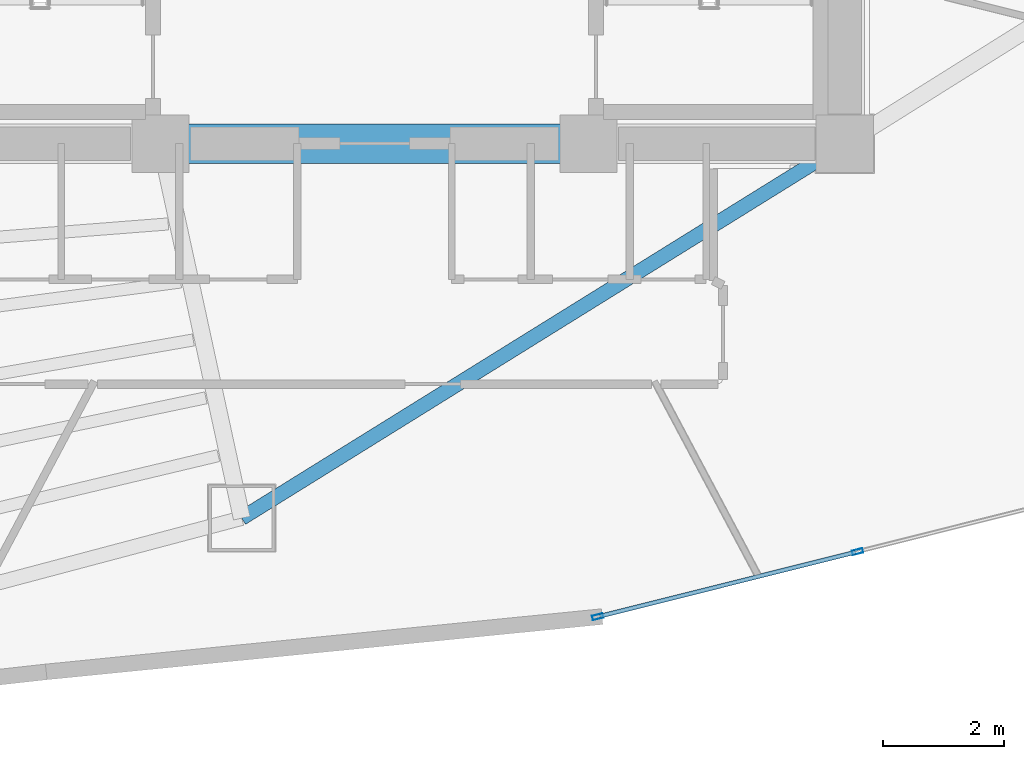
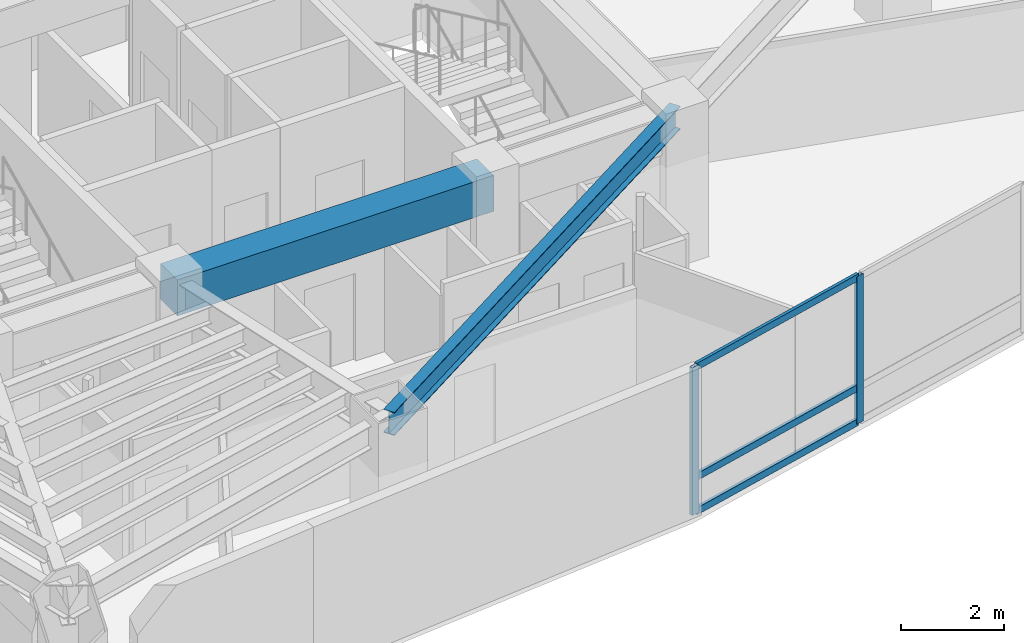
# One storey, part 4 of 18: 5 members, 2 beams, 1 element without a shape of its own.
"""IFC4 building model written with IfcOpenShell, lengths in metres."""

from ifc_helpers import new_model, si_unit, direction, frame, origin, origin_2d, place, context, subcontext, project, spatial, rectangle, hollow_rectangle, i_section, extrude, material, layer, layer_set, material_profile, profile_set, type_object, element, aggregate, save


model = new_model("IFC4")

# Units and contexts
model_context = context("Model", 3, precision=1e-05, world=origin(), true_north=direction((0.0, 1.0)))
body_context = subcontext(model_context, "Body", "Model", "MODEL_VIEW")
ifc_project = project(units=[si_unit("LENGTHUNIT", "METRE"), si_unit("AREAUNIT", "SQUARE_METRE"), si_unit("VOLUMEUNIT", "CUBIC_METRE"), si_unit("PLANEANGLEUNIT", "RADIAN"), si_unit("MASSUNIT", "GRAM", prefix="KILO")], contexts=[model_context])

# Site, building, storey
site_placement = place(None, origin())
site = spatial("IfcSite", under=ifc_project, at=site_placement, CompositionType="ELEMENT")
building_placement = place(site_placement, origin())
building = spatial("IfcBuilding", under=site, at=building_placement, Name="Menara Vayukalpa", CompositionType="ELEMENT")
storey_placement = place(building_placement, frame((0.0, 0.0, 161.760009765625)))
storey = spatial("IfcBuildingStorey", under=building, at=storey_placement, Name="L40", CompositionType="ELEMENT", Elevation=161.760009765625)

# Beams
ifc_material_1 = material(Name="Concrete C60/75", Category="concrete")
ifc_material_profile_1 = material_profile(ifc_material_1, rectangle(XDim=0.64990234375, YDim=0.85009765625, at=origin_2d()), Name="RC 650x850")
ifc_profile_set_1 = profile_set([ifc_material_profile_1], Name="Concrete C60/75")
beam_type_1 = type_object("IfcBeamType", Name="BM-CB1", PredefinedType="BEAM", material=ifc_profile_set_1)
beam_1_placement = place(storey_placement, frame((22.050048828125, 17.199951171875, 3.074951171875), z_axis=(1.0, 0.0, 0.0), x_axis=(0.0, 1.0, 0.0)))
element("IfcBeam", 1, at=beam_1_placement, inside=storey, type_object=beam_type_1, Name="L40 Core Tie Beam CBR2", PredefinedType="BEAM", context=body_context, shape_type="SweptSolid", body=[
    extrude(rectangle(XDim=0.64990234375, YDim=0.85009765625, at=origin_2d()), origin(), (0.0, 0.0, 1.0), 7.099853515625),
])
ifc_material_2 = material(Name="Steel S355", Category="steel")
ifc_material_profile_2 = material_profile(ifc_material_2, i_section(OverallWidth=0.239990234375, OverallDepth=0.550048828125, WebThickness=0.010986328125, FlangeThickness=0.01904296875, at=origin_2d()), Name="WF 550x240x11x19")
ifc_profile_set_2 = profile_set([ifc_material_profile_2], Name="Steel S355")
beam_type_2 = type_object("IfcBeamType", Name="BM-SP2", PredefinedType="SPANDREL", material=ifc_profile_set_2)
beam_2_placement = place(storey_placement, frame((23.39697265625, 10.988037109375, 3.22509765625), z_axis=(0.849518408464, 0.527558976495, 0.0), x_axis=(-0.527558976495, 0.849518408464, 0.0)))
element("IfcBeam", 2, at=beam_2_placement, inside=storey, type_object=beam_type_2, Name="L40 Perimeter Spandrel Beam SP08", PredefinedType="SPANDREL", context=body_context, shape_type="SweptSolid", body=[
    extrude(i_section(OverallWidth=0.239990234375, OverallDepth=0.550048828125, WebThickness=0.010986328125, FlangeThickness=0.01904296875, at=origin_2d()), origin(), (0.0, 0.0, 1.0), 11.77490234375),
])

# Curtain wall, members
ifc_material_3 = material(Name="Anodised Terracotta Aluminium Alloy 6063-T6", Category="masonry")
ifc_layer = layer(ifc_material_3, 0.179931640625)
ifc_layer_set = layer_set([ifc_layer], Name="Anodised Terracotta Aluminium Alloy 6063-T6")
curtain_wall_type = type_object("IfcCurtainWallType", Name="CW-CW4", PredefinedType="USERDEFINED", material=ifc_layer_set)
curtain_wall_placement = place(storey_placement, origin())
curtain_wall = element("IfcCurtainWall", 3, at=curtain_wall_placement, inside=storey, type_object=curtain_wall_type, Name="L40 Sky Bar Cantilever Glazed Curtain Wall CW4 16", ObjectType="UNITISED", PredefinedType="USERDEFINED")
ifc_material_4 = material(Name="Anodised Terracotta Aluminium Alloy 6063-T6", Category="masonry")
ifc_material_profile_3 = material_profile(ifc_material_4, hollow_rectangle(XDim=0.074951171875, YDim=0.179931640625, WallThickness=0.00390625, at=origin_2d()), Name="ALU 75x180x4")
ifc_profile_set_3 = profile_set([ifc_material_profile_3], Name="Anodised Terracotta Aluminium Alloy 6063-T6")
member_type_1 = type_object("IfcMemberType", Name="CWM-CW4", PredefinedType="MULLION", material=ifc_profile_set_3)
member_1_placement = place(storey_placement, frame((29.302001953125, 9.35205078125, 0.0), z_axis=(0.0, 0.0, 1.0), x_axis=(-0.243112993066, 0.969997975566, 0.0)))
member_1 = element("IfcMember", 4, at=member_1_placement, type_object=member_type_1, Name="CW4 mullion 1", PredefinedType="MULLION", context=body_context, shape_type="SweptSolid", body=[
    extrude(hollow_rectangle(XDim=0.074951171875, YDim=0.179931640625, WallThickness=0.00390625, at=origin_2d()), origin(), (0.0, 0.0, 1.0), 3.5),
])
member_2_placement = place(storey_placement, frame((33.61376953125, 10.4326171875, 0.0), z_axis=(0.0, 0.0, 1.0), x_axis=(-0.243112993066, 0.969997975566, 0.0)))
member_2 = element("IfcMember", 5, at=member_2_placement, type_object=member_type_1, Name="CW4 mullion 2", PredefinedType="MULLION", context=body_context, shape_type="SweptSolid", body=[
    extrude(hollow_rectangle(XDim=0.074951171875, YDim=0.179931640625, WallThickness=0.00390625, at=origin_2d()), origin(), (0.0, 0.0, 1.0), 3.5),
])
ifc_material_5 = material(Name="Anodised Terracotta Aluminium Alloy 6063-T6", Category="masonry")
ifc_material_profile_4 = material_profile(ifc_material_5, hollow_rectangle(XDim=0.070068359375, YDim=0.1650390625, WallThickness=0.00390625, at=origin_2d()), Name="ALU 70x165x4")
ifc_profile_set_4 = profile_set([ifc_material_profile_4], Name="Anodised Terracotta Aluminium Alloy 6063-T6")
member_type_2 = type_object("IfcMemberType", Name="CWT-CW4", PredefinedType="USERDEFINED", material=ifc_profile_set_4)
member_3_placement = place(storey_placement, frame((29.33837890625, 9.361083984375, 0.034912109375), z_axis=(0.969994440281, 0.243127098088, 0.0), x_axis=(-0.243127098088, 0.969994440281, 0.0)))
member_3 = element("IfcMember", 6, at=member_3_placement, type_object=member_type_2, Name="CW4 transom 1.1", ObjectType="TRANSOM", PredefinedType="USERDEFINED", context=body_context, shape_type="SweptSolid", body=[
    extrude(hollow_rectangle(XDim=0.070068359375, YDim=0.1650390625, WallThickness=0.00390625, at=origin_2d()), origin(), (0.0, 0.0, 1.0), 4.3701171875),
])
member_4_placement = place(storey_placement, frame((29.33837890625, 9.361083984375, 0.85009765625), z_axis=(0.969994440281, 0.243127098088, 0.0), x_axis=(-0.243127098088, 0.969994440281, 0.0)))
member_4 = element("IfcMember", 7, at=member_4_placement, type_object=member_type_2, Name="CW4 transom 1.2", ObjectType="TRANSOM", PredefinedType="USERDEFINED", context=body_context, shape_type="SweptSolid", body=[
    extrude(hollow_rectangle(XDim=0.070068359375, YDim=0.1650390625, WallThickness=0.00390625, at=origin_2d()), origin(), (0.0, 0.0, 1.0), 4.3701171875),
])
member_5_placement = place(storey_placement, frame((29.33837890625, 9.361083984375, 3.465087890625), z_axis=(0.969994440281, 0.243127098088, 0.0), x_axis=(-0.243127098088, 0.969994440281, 0.0)))
member_5 = element("IfcMember", 8, at=member_5_placement, type_object=member_type_2, Name="CW4 transom 1.3", ObjectType="TRANSOM", PredefinedType="USERDEFINED", context=body_context, shape_type="SweptSolid", body=[
    extrude(hollow_rectangle(XDim=0.070068359375, YDim=0.1650390625, WallThickness=0.00390625, at=origin_2d()), origin(), (0.0, 0.0, 1.0), 4.3701171875),
])
aggregate(curtain_wall, [member_1, member_2, member_3, member_4, member_5])

save(model, "model.ifc")
